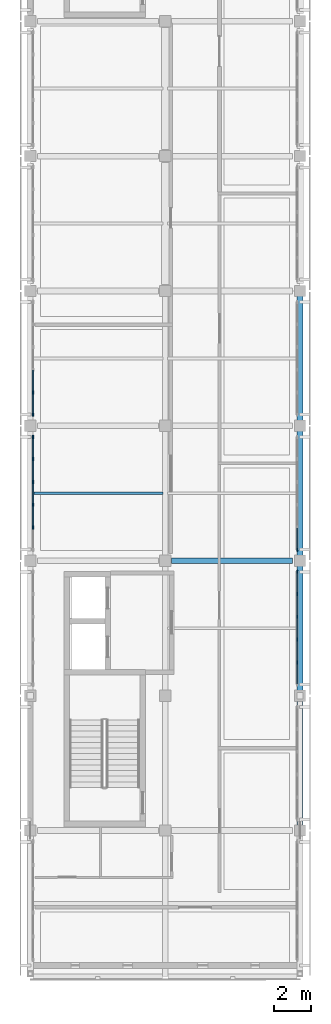
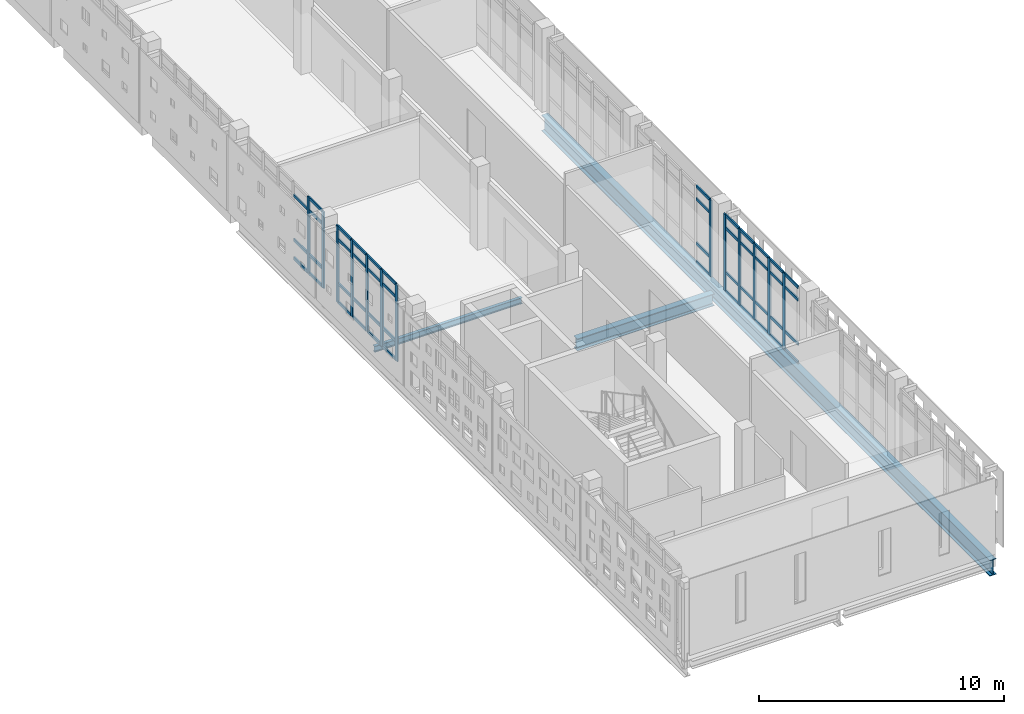
# One storey, part 4 of 21: 60 members, 3 beams, 4 elements without a shape of their own.
"""IFC4 building model written with IfcOpenShell, lengths in metres."""

from ifc_helpers import new_model, si_unit, direction, frame, origin, origin_2d, place, context, subcontext, project, spatial, rectangle, i_section, extrude, material, layer, layer_set, material_profile, profile_set, type_object, element, aggregate, save


model = new_model("IFC4")

# Units and contexts
model_context = context("Model", 3, precision=1e-05, world=origin(), true_north=direction((0.0, 1.0)))
body_context = subcontext(model_context, "Body", "Model", "MODEL_VIEW")
ifc_project = project(units=[si_unit("LENGTHUNIT", "METRE"), si_unit("AREAUNIT", "SQUARE_METRE"), si_unit("VOLUMEUNIT", "CUBIC_METRE"), si_unit("PLANEANGLEUNIT", "RADIAN"), si_unit("MASSUNIT", "GRAM", prefix="KILO")], contexts=[model_context])

# Site, building, storey
site_placement = place(None, origin())
site = spatial("IfcSite", under=ifc_project, at=site_placement, CompositionType="ELEMENT")
building_placement = place(site_placement, origin())
building = spatial("IfcBuilding", under=site, at=building_placement, Name="Valkovuoma Quantum and Materials Research Institute", CompositionType="ELEMENT")
storey_placement = place(building_placement, frame((0.0, 0.0, 29.760009765625)))
storey = spatial("IfcBuildingStorey", under=building, at=storey_placement, Name="L07", CompositionType="ELEMENT", Elevation=29.760009765625)

# Beams
ifc_material_1 = material(Name="Steel S355J2", Category="steel")
ifc_material_profile_1 = material_profile(ifc_material_1, i_section(OverallWidth=0.300048828125, OverallDepth=0.60009765625, WebThickness=0.015380859375, FlangeThickness=0.030029296875, FilletRadius=0.027099609375, at=origin_2d()), Name="Steel S355J2")
ifc_profile_set_1 = profile_set([ifc_material_profile_1], Name="Steel S355J2")
beam_type_1 = type_object("IfcBeamType", Name="Beam-B-HEB600", PredefinedType="BEAM", material=ifc_profile_set_1)
beam_1_placement = place(storey_placement, frame((7.550048828125, 43.199951171875, -0.64990234375), z_axis=(1.0, 0.0, 0.0), x_axis=(0.0, 1.0, 0.0)))
element("IfcBeam", 1, at=beam_1_placement, inside=storey, type_object=beam_type_1, Name="L07 beam X-2495", PredefinedType="BEAM", context=body_context, shape_type="SweptSolid", body=[
    extrude(i_section(OverallWidth=0.300048828125, OverallDepth=0.60009765625, WebThickness=0.015380859375, FlangeThickness=0.030029296875, FilletRadius=0.027099609375, at=origin_2d()), origin(), (0.0, 0.0, 1.0), 6.449951171875),
])
ifc_material_2 = material(Name="Steel S355J2", Category="steel")
ifc_material_profile_2 = material_profile(ifc_material_2, i_section(OverallWidth=0.300048828125, OverallDepth=0.800048828125, WebThickness=0.017578125, FlangeThickness=0.032958984375, FilletRadius=0.030029296875, at=origin_2d()), Name="Steel S355J2")
ifc_profile_set_2 = profile_set([ifc_material_profile_2], Name="Steel S355J2")
beam_type_2 = type_object("IfcBeamType", Name="Beam-B-HEB800", PredefinedType="BEAM", material=ifc_profile_set_2)
beam_2_placement = place(storey_placement, frame((14.39990234375, 21.0, -0.75), z_axis=(0.0, 1.0, 0.0), x_axis=(-1.0, 0.0, 0.0)))
element("IfcBeam", 2, at=beam_2_placement, inside=storey, type_object=beam_type_2, Name="L07 cantilever girder X2", PredefinedType="BEAM", context=body_context, shape_type="SweptSolid", body=[
    extrude(i_section(OverallWidth=0.300048828125, OverallDepth=0.800048828125, WebThickness=0.017578125, FlangeThickness=0.032958984375, FilletRadius=0.030029296875, at=origin_2d()), origin(), (0.0, 0.0, 1.0), 36.60009765625),
])
ifc_material_3 = material(Name="Steel S355J2", Category="steel")
ifc_material_profile_3 = material_profile(ifc_material_3, i_section(OverallWidth=0.14990234375, OverallDepth=0.300048828125, WebThickness=0.007080078125, FlangeThickness=0.0107421875, FilletRadius=0.014892578125, at=origin_2d()), Name="Steel S355J2")
ifc_profile_set_3 = profile_set([ifc_material_profile_3], Name="Steel S355J2")
beam_type_3 = type_object("IfcBeamType", Name="Beam-B-JST300", PredefinedType="JOIST", material=ifc_profile_set_3)
beam_3_placement = place(storey_placement, frame((0.1201171875, 46.800048828125, -0.5), z_axis=(1.0, 0.0, 0.0), x_axis=(0.0, 1.0, 0.0)))
element("IfcBeam", 3, at=beam_3_placement, inside=storey, type_object=beam_type_3, Name="L07 floor joist 2522", PredefinedType="JOIST", context=body_context, shape_type="SweptSolid", body=[
    extrude(i_section(OverallWidth=0.14990234375, OverallDepth=0.300048828125, WebThickness=0.007080078125, FlangeThickness=0.0107421875, FilletRadius=0.014892578125, at=origin_2d()), origin(), (0.0, 0.0, 1.0), 6.9599609375),
])

# Curtain wall, members
ifc_material_4 = material(Name="Thermally broken aluminium and triple low-E glazing", Category="aluminium")
ifc_layer = layer(ifc_material_4, 0.219970703125)
ifc_layer_set = layer_set([ifc_layer], Name="Thermally broken aluminium and triple low-E glazing")
curtain_wall_type = type_object("IfcCurtainWallType", Name="CW-CW-01", PredefinedType="NOTDEFINED", material=ifc_layer_set)
curtain_wall_1_placement = place(storey_placement, origin())
curtain_wall_1 = element("IfcCurtainWall", 4, at=curtain_wall_1_placement, inside=storey, type_object=curtain_wall_type, Name="L07 curtain wall 095", PredefinedType="NOTDEFINED")
ifc_material_5 = material(Name="Anodised aluminium 6060-T66", Category="aluminium")
ifc_material_profile_4 = material_profile(ifc_material_5, rectangle(XDim=0.06494140625, YDim=0.179931640625, at=origin_2d()), Name="Anodised aluminium 6060-T66")
ifc_profile_set_4 = profile_set([ifc_material_profile_4], Name="Anodised aluminium 6060-T66")
member_type_1 = type_object("IfcMemberType", Name="CWMull-CWM-01", PredefinedType="MULLION", material=ifc_profile_set_4)
member_1_placement = place(storey_placement, frame((14.25, 37.774169921875, 0.0), z_axis=(0.0, 0.0, 1.0), x_axis=(-1.0, 0.0, 0.0)))
member_1 = element("IfcMember", 5, at=member_1_placement, type_object=member_type_1, Name="CW-01 mullion 2", PredefinedType="MULLION", context=body_context, shape_type="SweptSolid", body=[
    extrude(rectangle(XDim=0.06494140625, YDim=0.179931640625, at=origin_2d()), origin(), (0.0, 0.0, 1.0), 3.81005859375),
])
member_2_placement = place(storey_placement, frame((14.25, 38.991455078125, 0.0), z_axis=(0.0, 0.0, 1.0), x_axis=(-1.0, 0.0, 0.0)))
member_2 = element("IfcMember", 6, at=member_2_placement, type_object=member_type_1, Name="CW-01 mullion 3", PredefinedType="MULLION", context=body_context, shape_type="SweptSolid", body=[
    extrude(rectangle(XDim=0.06494140625, YDim=0.179931640625, at=origin_2d()), origin(), (0.0, 0.0, 1.0), 3.81005859375),
])
member_3_placement = place(storey_placement, frame((14.25, 40.20849609375, 0.0), z_axis=(0.0, 0.0, 1.0), x_axis=(-1.0, 0.0, 0.0)))
member_3 = element("IfcMember", 7, at=member_3_placement, type_object=member_type_1, Name="CW-01 mullion 4", PredefinedType="MULLION", context=body_context, shape_type="SweptSolid", body=[
    extrude(rectangle(XDim=0.06494140625, YDim=0.179931640625, at=origin_2d()), origin(), (0.0, 0.0, 1.0), 3.81005859375),
])
member_4_placement = place(storey_placement, frame((14.25, 41.42578125, 0.0), z_axis=(0.0, 0.0, 1.0), x_axis=(-1.0, 0.0, 0.0)))
member_4 = element("IfcMember", 8, at=member_4_placement, type_object=member_type_1, Name="CW-01 mullion 5", PredefinedType="MULLION", context=body_context, shape_type="SweptSolid", body=[
    extrude(rectangle(XDim=0.06494140625, YDim=0.179931640625, at=origin_2d()), origin(), (0.0, 0.0, 1.0), 3.81005859375),
])
member_5_placement = place(storey_placement, frame((14.25, 42.6103515625, 0.0), z_axis=(0.0, 0.0, 1.0), x_axis=(-1.0, 0.0, 0.0)))
member_5 = element("IfcMember", 9, at=member_5_placement, type_object=member_type_1, Name="CW-01 mullion 6", PredefinedType="MULLION", context=body_context, shape_type="SweptSolid", body=[
    extrude(rectangle(XDim=0.06494140625, YDim=0.179931640625, at=origin_2d()), origin(), (0.0, 0.0, 1.0), 3.81005859375),
])

curtain_wall_2_placement = place(storey_placement, origin())
curtain_wall_2 = element("IfcCurtainWall", 10, at=curtain_wall_2_placement, inside=storey, type_object=curtain_wall_type, Name="L07 curtain wall 096", PredefinedType="NOTDEFINED")
member_6_placement = place(storey_placement, frame((0.14990234375, 44.974365234375, 0.0), z_axis=(0.0, 0.0, 1.0), x_axis=(-1.0, 0.0, 0.0)))
member_6 = element("IfcMember", 11, at=member_6_placement, type_object=member_type_1, Name="CW-01 mullion 2", PredefinedType="MULLION", context=body_context, shape_type="SweptSolid", body=[
    extrude(rectangle(XDim=0.06494140625, YDim=0.179931640625, at=origin_2d()), origin(), (0.0, 0.0, 1.0), 3.81005859375),
])
member_7_placement = place(storey_placement, frame((0.14990234375, 46.19140625, 0.0), z_axis=(0.0, 0.0, 1.0), x_axis=(-1.0, 0.0, 0.0)))
member_7 = element("IfcMember", 12, at=member_7_placement, type_object=member_type_1, Name="CW-01 mullion 3", PredefinedType="MULLION", context=body_context, shape_type="SweptSolid", body=[
    extrude(rectangle(XDim=0.06494140625, YDim=0.179931640625, at=origin_2d()), origin(), (0.0, 0.0, 1.0), 3.81005859375),
])
member_8_placement = place(storey_placement, frame((0.14990234375, 47.40869140625, 0.0), z_axis=(0.0, 0.0, 1.0), x_axis=(-1.0, 0.0, 0.0)))
member_8 = element("IfcMember", 13, at=member_8_placement, type_object=member_type_1, Name="CW-01 mullion 4", PredefinedType="MULLION", context=body_context, shape_type="SweptSolid", body=[
    extrude(rectangle(XDim=0.06494140625, YDim=0.179931640625, at=origin_2d()), origin(), (0.0, 0.0, 1.0), 3.81005859375),
])
member_9_placement = place(storey_placement, frame((0.14990234375, 48.625732421875, 0.0), z_axis=(0.0, 0.0, 1.0), x_axis=(-1.0, 0.0, 0.0)))
member_9 = element("IfcMember", 14, at=member_9_placement, type_object=member_type_1, Name="CW-01 mullion 5", PredefinedType="MULLION", context=body_context, shape_type="SweptSolid", body=[
    extrude(rectangle(XDim=0.06494140625, YDim=0.179931640625, at=origin_2d()), origin(), (0.0, 0.0, 1.0), 3.81005859375),
])
member_10_placement = place(storey_placement, frame((0.14990234375, 49.810302734375, 0.0), z_axis=(0.0, 0.0, 1.0), x_axis=(-1.0, 0.0, 0.0)))
member_10 = element("IfcMember", 15, at=member_10_placement, type_object=member_type_1, Name="CW-01 mullion 6", PredefinedType="MULLION", context=body_context, shape_type="SweptSolid", body=[
    extrude(rectangle(XDim=0.06494140625, YDim=0.179931640625, at=origin_2d()), origin(), (0.0, 0.0, 1.0), 3.81005859375),
])

# Curtain wall, member
curtain_wall_3_placement = place(storey_placement, origin())
curtain_wall_3 = element("IfcCurtainWall", 16, at=curtain_wall_3_placement, inside=storey, type_object=curtain_wall_type, Name="L07 curtain wall 097", PredefinedType="NOTDEFINED")
member_11_placement = place(storey_placement, frame((14.25, 43.78955078125, 0.0), z_axis=(0.0, 0.0, 1.0), x_axis=(-1.0, 0.0, 0.0)))
member_11 = element("IfcMember", 17, at=member_11_placement, type_object=member_type_1, Name="CW-01 mullion 1", PredefinedType="MULLION", context=body_context, shape_type="SweptSolid", body=[
    extrude(rectangle(XDim=0.06494140625, YDim=0.179931640625, at=origin_2d()), origin(), (0.0, 0.0, 1.0), 3.81005859375),
])

# Curtain wall, members
curtain_wall_4_placement = place(storey_placement, origin())
curtain_wall_4 = element("IfcCurtainWall", 18, at=curtain_wall_4_placement, inside=storey, type_object=curtain_wall_type, Name="L07 curtain wall 098", PredefinedType="NOTDEFINED")
member_12_placement = place(storey_placement, frame((0.14990234375, 50.989501953125, 0.0), z_axis=(0.0, 0.0, 1.0), x_axis=(-1.0, 0.0, 0.0)))
member_12 = element("IfcMember", 19, at=member_12_placement, type_object=member_type_1, Name="CW-01 mullion 1", PredefinedType="MULLION", context=body_context, shape_type="SweptSolid", body=[
    extrude(rectangle(XDim=0.06494140625, YDim=0.179931640625, at=origin_2d()), origin(), (0.0, 0.0, 1.0), 3.81005859375),
])
member_13_placement = place(storey_placement, frame((0.14990234375, 52.17431640625, 0.0), z_axis=(0.0, 0.0, 1.0), x_axis=(-1.0, 0.0, 0.0)))
member_13 = element("IfcMember", 20, at=member_13_placement, type_object=member_type_1, Name="CW-01 mullion 2", PredefinedType="MULLION", context=body_context, shape_type="SweptSolid", body=[
    extrude(rectangle(XDim=0.06494140625, YDim=0.179931640625, at=origin_2d()), origin(), (0.0, 0.0, 1.0), 3.81005859375),
])

# Member
ifc_material_6 = material(Name="Anodised aluminium 6060-T66", Category="aluminium")
ifc_material_profile_5 = material_profile(ifc_material_6, rectangle(XDim=0.06494140625, YDim=0.139892578125, at=origin_2d()), Name="Anodised aluminium 6060-T66")
ifc_profile_set_5 = profile_set([ifc_material_profile_5], Name="Anodised aluminium 6060-T66")
member_type_2 = type_object("IfcMemberType", Name="CWTran-CWT-01", PredefinedType="USERDEFINED", material=ifc_profile_set_5)
member_14_placement = place(storey_placement, frame((14.25, 36.6220703125, 0.032470703125), z_axis=(0.0, 1.0, 0.0), x_axis=(-1.0, 0.0, 0.0)))
member_14 = element("IfcMember", 21, at=member_14_placement, type_object=member_type_2, Name="CW-01 transom 1.1", ObjectType="TRANSOM", PredefinedType="USERDEFINED", context=body_context, shape_type="SweptSolid", body=[
    extrude(rectangle(XDim=0.06494140625, YDim=0.139892578125, at=origin_2d()), origin(), (0.0, 0.0, 1.0), 1.11962890625),
])

member_15_placement = place(storey_placement, frame((14.25, 36.6220703125, 0.949951171875), z_axis=(0.0, 1.0, 0.0), x_axis=(-1.0, 0.0, 0.0)))
member_15 = element("IfcMember", 22, at=member_15_placement, type_object=member_type_2, Name="CW-01 transom 1.2", ObjectType="TRANSOM", PredefinedType="USERDEFINED", context=body_context, shape_type="SweptSolid", body=[
    extrude(rectangle(XDim=0.06494140625, YDim=0.139892578125, at=origin_2d()), origin(), (0.0, 0.0, 1.0), 1.11962890625),
])

member_16_placement = place(storey_placement, frame((14.25, 36.6220703125, 3.159912109375), z_axis=(0.0, 1.0, 0.0), x_axis=(-1.0, 0.0, 0.0)))
member_16 = element("IfcMember", 23, at=member_16_placement, type_object=member_type_2, Name="CW-01 transom 1.3", ObjectType="TRANSOM", PredefinedType="USERDEFINED", context=body_context, shape_type="SweptSolid", body=[
    extrude(rectangle(XDim=0.06494140625, YDim=0.139892578125, at=origin_2d()), origin(), (0.0, 0.0, 1.0), 1.11962890625),
])

member_17_placement = place(storey_placement, frame((14.25, 36.6220703125, 3.777587890625), z_axis=(0.0, 1.0, 0.0), x_axis=(-1.0, 0.0, 0.0)))
member_17 = element("IfcMember", 24, at=member_17_placement, type_object=member_type_2, Name="CW-01 transom 1.4", ObjectType="TRANSOM", PredefinedType="USERDEFINED", context=body_context, shape_type="SweptSolid", body=[
    extrude(rectangle(XDim=0.06494140625, YDim=0.139892578125, at=origin_2d()), origin(), (0.0, 0.0, 1.0), 1.11962890625),
])

member_18_placement = place(storey_placement, frame((14.25, 37.806640625, 0.032470703125), z_axis=(0.0, 1.0, 0.0), x_axis=(-1.0, 0.0, 0.0)))
member_18 = element("IfcMember", 25, at=member_18_placement, type_object=member_type_2, Name="CW-01 transom 2.1", ObjectType="TRANSOM", PredefinedType="USERDEFINED", context=body_context, shape_type="SweptSolid", body=[
    extrude(rectangle(XDim=0.06494140625, YDim=0.139892578125, at=origin_2d()), origin(), (0.0, 0.0, 1.0), 1.15234375),
])

member_19_placement = place(storey_placement, frame((14.25, 37.806640625, 0.949951171875), z_axis=(0.0, 1.0, 0.0), x_axis=(-1.0, 0.0, 0.0)))
member_19 = element("IfcMember", 26, at=member_19_placement, type_object=member_type_2, Name="CW-01 transom 2.2", ObjectType="TRANSOM", PredefinedType="USERDEFINED", context=body_context, shape_type="SweptSolid", body=[
    extrude(rectangle(XDim=0.06494140625, YDim=0.139892578125, at=origin_2d()), origin(), (0.0, 0.0, 1.0), 1.15234375),
])

member_20_placement = place(storey_placement, frame((14.25, 37.806640625, 3.159912109375), z_axis=(0.0, 1.0, 0.0), x_axis=(-1.0, 0.0, 0.0)))
member_20 = element("IfcMember", 27, at=member_20_placement, type_object=member_type_2, Name="CW-01 transom 2.3", ObjectType="TRANSOM", PredefinedType="USERDEFINED", context=body_context, shape_type="SweptSolid", body=[
    extrude(rectangle(XDim=0.06494140625, YDim=0.139892578125, at=origin_2d()), origin(), (0.0, 0.0, 1.0), 1.15234375),
])

member_21_placement = place(storey_placement, frame((14.25, 37.806640625, 3.777587890625), z_axis=(0.0, 1.0, 0.0), x_axis=(-1.0, 0.0, 0.0)))
member_21 = element("IfcMember", 28, at=member_21_placement, type_object=member_type_2, Name="CW-01 transom 2.4", ObjectType="TRANSOM", PredefinedType="USERDEFINED", context=body_context, shape_type="SweptSolid", body=[
    extrude(rectangle(XDim=0.06494140625, YDim=0.139892578125, at=origin_2d()), origin(), (0.0, 0.0, 1.0), 1.15234375),
])

member_22_placement = place(storey_placement, frame((14.25, 39.02392578125, 0.032470703125), z_axis=(0.0, 1.0, 0.0), x_axis=(-1.0, 0.0, 0.0)))
member_22 = element("IfcMember", 29, at=member_22_placement, type_object=member_type_2, Name="CW-01 transom 3.1", ObjectType="TRANSOM", PredefinedType="USERDEFINED", context=body_context, shape_type="SweptSolid", body=[
    extrude(rectangle(XDim=0.06494140625, YDim=0.139892578125, at=origin_2d()), origin(), (0.0, 0.0, 1.0), 1.152099609375),
])

member_23_placement = place(storey_placement, frame((14.25, 39.02392578125, 0.949951171875), z_axis=(0.0, 1.0, 0.0), x_axis=(-1.0, 0.0, 0.0)))
member_23 = element("IfcMember", 30, at=member_23_placement, type_object=member_type_2, Name="CW-01 transom 3.2", ObjectType="TRANSOM", PredefinedType="USERDEFINED", context=body_context, shape_type="SweptSolid", body=[
    extrude(rectangle(XDim=0.06494140625, YDim=0.139892578125, at=origin_2d()), origin(), (0.0, 0.0, 1.0), 1.152099609375),
])

member_24_placement = place(storey_placement, frame((14.25, 39.02392578125, 3.159912109375), z_axis=(0.0, 1.0, 0.0), x_axis=(-1.0, 0.0, 0.0)))
member_24 = element("IfcMember", 31, at=member_24_placement, type_object=member_type_2, Name="CW-01 transom 3.3", ObjectType="TRANSOM", PredefinedType="USERDEFINED", context=body_context, shape_type="SweptSolid", body=[
    extrude(rectangle(XDim=0.06494140625, YDim=0.139892578125, at=origin_2d()), origin(), (0.0, 0.0, 1.0), 1.152099609375),
])

member_25_placement = place(storey_placement, frame((14.25, 39.02392578125, 3.777587890625), z_axis=(0.0, 1.0, 0.0), x_axis=(-1.0, 0.0, 0.0)))
member_25 = element("IfcMember", 32, at=member_25_placement, type_object=member_type_2, Name="CW-01 transom 3.4", ObjectType="TRANSOM", PredefinedType="USERDEFINED", context=body_context, shape_type="SweptSolid", body=[
    extrude(rectangle(XDim=0.06494140625, YDim=0.139892578125, at=origin_2d()), origin(), (0.0, 0.0, 1.0), 1.152099609375),
])

member_26_placement = place(storey_placement, frame((14.25, 40.240966796875, 0.032470703125), z_axis=(0.0, 1.0, 0.0), x_axis=(-1.0, 0.0, 0.0)))
member_26 = element("IfcMember", 33, at=member_26_placement, type_object=member_type_2, Name="CW-01 transom 4.1", ObjectType="TRANSOM", PredefinedType="USERDEFINED", context=body_context, shape_type="SweptSolid", body=[
    extrude(rectangle(XDim=0.06494140625, YDim=0.139892578125, at=origin_2d()), origin(), (0.0, 0.0, 1.0), 1.15234375),
])

member_27_placement = place(storey_placement, frame((14.25, 40.240966796875, 0.949951171875), z_axis=(0.0, 1.0, 0.0), x_axis=(-1.0, 0.0, 0.0)))
member_27 = element("IfcMember", 34, at=member_27_placement, type_object=member_type_2, Name="CW-01 transom 4.2", ObjectType="TRANSOM", PredefinedType="USERDEFINED", context=body_context, shape_type="SweptSolid", body=[
    extrude(rectangle(XDim=0.06494140625, YDim=0.139892578125, at=origin_2d()), origin(), (0.0, 0.0, 1.0), 1.15234375),
])

member_28_placement = place(storey_placement, frame((14.25, 40.240966796875, 3.159912109375), z_axis=(0.0, 1.0, 0.0), x_axis=(-1.0, 0.0, 0.0)))
member_28 = element("IfcMember", 35, at=member_28_placement, type_object=member_type_2, Name="CW-01 transom 4.3", ObjectType="TRANSOM", PredefinedType="USERDEFINED", context=body_context, shape_type="SweptSolid", body=[
    extrude(rectangle(XDim=0.06494140625, YDim=0.139892578125, at=origin_2d()), origin(), (0.0, 0.0, 1.0), 1.15234375),
])

member_29_placement = place(storey_placement, frame((14.25, 40.240966796875, 3.777587890625), z_axis=(0.0, 1.0, 0.0), x_axis=(-1.0, 0.0, 0.0)))
member_29 = element("IfcMember", 36, at=member_29_placement, type_object=member_type_2, Name="CW-01 transom 4.4", ObjectType="TRANSOM", PredefinedType="USERDEFINED", context=body_context, shape_type="SweptSolid", body=[
    extrude(rectangle(XDim=0.06494140625, YDim=0.139892578125, at=origin_2d()), origin(), (0.0, 0.0, 1.0), 1.15234375),
])

member_30_placement = place(storey_placement, frame((14.25, 41.458251953125, 0.032470703125), z_axis=(0.0, 1.0, 0.0), x_axis=(-1.0, 0.0, 0.0)))
member_30 = element("IfcMember", 37, at=member_30_placement, type_object=member_type_2, Name="CW-01 transom 5.1", ObjectType="TRANSOM", PredefinedType="USERDEFINED", context=body_context, shape_type="SweptSolid", body=[
    extrude(rectangle(XDim=0.06494140625, YDim=0.139892578125, at=origin_2d()), origin(), (0.0, 0.0, 1.0), 1.11962890625),
])

member_31_placement = place(storey_placement, frame((14.25, 41.458251953125, 0.949951171875), z_axis=(0.0, 1.0, 0.0), x_axis=(-1.0, 0.0, 0.0)))
member_31 = element("IfcMember", 38, at=member_31_placement, type_object=member_type_2, Name="CW-01 transom 5.2", ObjectType="TRANSOM", PredefinedType="USERDEFINED", context=body_context, shape_type="SweptSolid", body=[
    extrude(rectangle(XDim=0.06494140625, YDim=0.139892578125, at=origin_2d()), origin(), (0.0, 0.0, 1.0), 1.11962890625),
])

member_32_placement = place(storey_placement, frame((14.25, 41.458251953125, 3.159912109375), z_axis=(0.0, 1.0, 0.0), x_axis=(-1.0, 0.0, 0.0)))
member_32 = element("IfcMember", 39, at=member_32_placement, type_object=member_type_2, Name="CW-01 transom 5.3", ObjectType="TRANSOM", PredefinedType="USERDEFINED", context=body_context, shape_type="SweptSolid", body=[
    extrude(rectangle(XDim=0.06494140625, YDim=0.139892578125, at=origin_2d()), origin(), (0.0, 0.0, 1.0), 1.11962890625),
])

member_33_placement = place(storey_placement, frame((14.25, 41.458251953125, 3.777587890625), z_axis=(0.0, 1.0, 0.0), x_axis=(-1.0, 0.0, 0.0)))
member_33 = element("IfcMember", 40, at=member_33_placement, type_object=member_type_2, Name="CW-01 transom 5.4", ObjectType="TRANSOM", PredefinedType="USERDEFINED", context=body_context, shape_type="SweptSolid", body=[
    extrude(rectangle(XDim=0.06494140625, YDim=0.139892578125, at=origin_2d()), origin(), (0.0, 0.0, 1.0), 1.11962890625),
])

aggregate(curtain_wall_1, [member_1, member_2, member_3, member_4, member_5, member_14, member_15, member_16, member_17, member_18, member_19, member_20, member_21, member_22, member_23, member_24, member_25, member_26, member_27, member_28, member_29, member_30, member_31, member_32, member_33])

member_34_placement = place(storey_placement, frame((0.14990234375, 45.0068359375, 0.032470703125), z_axis=(0.0, 1.0, 0.0), x_axis=(-1.0, 0.0, 0.0)))
member_34 = element("IfcMember", 41, at=member_34_placement, type_object=member_type_2, Name="CW-01 transom 2.1", ObjectType="TRANSOM", PredefinedType="USERDEFINED", context=body_context, shape_type="SweptSolid", body=[
    extrude(rectangle(XDim=0.06494140625, YDim=0.139892578125, at=origin_2d()), origin(), (0.0, 0.0, 1.0), 1.152099609375),
])

member_35_placement = place(storey_placement, frame((0.14990234375, 45.0068359375, 0.949951171875), z_axis=(0.0, 1.0, 0.0), x_axis=(-1.0, 0.0, 0.0)))
member_35 = element("IfcMember", 42, at=member_35_placement, type_object=member_type_2, Name="CW-01 transom 2.2", ObjectType="TRANSOM", PredefinedType="USERDEFINED", context=body_context, shape_type="SweptSolid", body=[
    extrude(rectangle(XDim=0.06494140625, YDim=0.139892578125, at=origin_2d()), origin(), (0.0, 0.0, 1.0), 1.152099609375),
])

member_36_placement = place(storey_placement, frame((0.14990234375, 45.0068359375, 3.159912109375), z_axis=(0.0, 1.0, 0.0), x_axis=(-1.0, 0.0, 0.0)))
member_36 = element("IfcMember", 43, at=member_36_placement, type_object=member_type_2, Name="CW-01 transom 2.3", ObjectType="TRANSOM", PredefinedType="USERDEFINED", context=body_context, shape_type="SweptSolid", body=[
    extrude(rectangle(XDim=0.06494140625, YDim=0.139892578125, at=origin_2d()), origin(), (0.0, 0.0, 1.0), 1.152099609375),
])

member_37_placement = place(storey_placement, frame((0.14990234375, 45.0068359375, 3.777587890625), z_axis=(0.0, 1.0, 0.0), x_axis=(-1.0, 0.0, 0.0)))
member_37 = element("IfcMember", 44, at=member_37_placement, type_object=member_type_2, Name="CW-01 transom 2.4", ObjectType="TRANSOM", PredefinedType="USERDEFINED", context=body_context, shape_type="SweptSolid", body=[
    extrude(rectangle(XDim=0.06494140625, YDim=0.139892578125, at=origin_2d()), origin(), (0.0, 0.0, 1.0), 1.152099609375),
])

member_38_placement = place(storey_placement, frame((0.14990234375, 46.223876953125, 0.032470703125), z_axis=(0.0, 1.0, 0.0), x_axis=(-1.0, 0.0, 0.0)))
member_38 = element("IfcMember", 45, at=member_38_placement, type_object=member_type_2, Name="CW-01 transom 3.1", ObjectType="TRANSOM", PredefinedType="USERDEFINED", context=body_context, shape_type="SweptSolid", body=[
    extrude(rectangle(XDim=0.06494140625, YDim=0.139892578125, at=origin_2d()), origin(), (0.0, 0.0, 1.0), 1.152099609375),
])

member_39_placement = place(storey_placement, frame((0.14990234375, 46.223876953125, 0.949951171875), z_axis=(0.0, 1.0, 0.0), x_axis=(-1.0, 0.0, 0.0)))
member_39 = element("IfcMember", 46, at=member_39_placement, type_object=member_type_2, Name="CW-01 transom 3.2", ObjectType="TRANSOM", PredefinedType="USERDEFINED", context=body_context, shape_type="SweptSolid", body=[
    extrude(rectangle(XDim=0.06494140625, YDim=0.139892578125, at=origin_2d()), origin(), (0.0, 0.0, 1.0), 1.152099609375),
])

member_40_placement = place(storey_placement, frame((0.14990234375, 46.223876953125, 3.159912109375), z_axis=(0.0, 1.0, 0.0), x_axis=(-1.0, 0.0, 0.0)))
member_40 = element("IfcMember", 47, at=member_40_placement, type_object=member_type_2, Name="CW-01 transom 3.3", ObjectType="TRANSOM", PredefinedType="USERDEFINED", context=body_context, shape_type="SweptSolid", body=[
    extrude(rectangle(XDim=0.06494140625, YDim=0.139892578125, at=origin_2d()), origin(), (0.0, 0.0, 1.0), 1.152099609375),
])

member_41_placement = place(storey_placement, frame((0.14990234375, 46.223876953125, 3.777587890625), z_axis=(0.0, 1.0, 0.0), x_axis=(-1.0, 0.0, 0.0)))
member_41 = element("IfcMember", 48, at=member_41_placement, type_object=member_type_2, Name="CW-01 transom 3.4", ObjectType="TRANSOM", PredefinedType="USERDEFINED", context=body_context, shape_type="SweptSolid", body=[
    extrude(rectangle(XDim=0.06494140625, YDim=0.139892578125, at=origin_2d()), origin(), (0.0, 0.0, 1.0), 1.152099609375),
])

member_42_placement = place(storey_placement, frame((0.14990234375, 47.441162109375, 0.032470703125), z_axis=(0.0, 1.0, 0.0), x_axis=(-1.0, 0.0, 0.0)))
member_42 = element("IfcMember", 49, at=member_42_placement, type_object=member_type_2, Name="CW-01 transom 4.1", ObjectType="TRANSOM", PredefinedType="USERDEFINED", context=body_context, shape_type="SweptSolid", body=[
    extrude(rectangle(XDim=0.06494140625, YDim=0.139892578125, at=origin_2d()), origin(), (0.0, 0.0, 1.0), 1.152099609375),
])

member_43_placement = place(storey_placement, frame((0.14990234375, 47.441162109375, 0.949951171875), z_axis=(0.0, 1.0, 0.0), x_axis=(-1.0, 0.0, 0.0)))
member_43 = element("IfcMember", 50, at=member_43_placement, type_object=member_type_2, Name="CW-01 transom 4.2", ObjectType="TRANSOM", PredefinedType="USERDEFINED", context=body_context, shape_type="SweptSolid", body=[
    extrude(rectangle(XDim=0.06494140625, YDim=0.139892578125, at=origin_2d()), origin(), (0.0, 0.0, 1.0), 1.152099609375),
])

member_44_placement = place(storey_placement, frame((0.14990234375, 47.441162109375, 3.159912109375), z_axis=(0.0, 1.0, 0.0), x_axis=(-1.0, 0.0, 0.0)))
member_44 = element("IfcMember", 51, at=member_44_placement, type_object=member_type_2, Name="CW-01 transom 4.3", ObjectType="TRANSOM", PredefinedType="USERDEFINED", context=body_context, shape_type="SweptSolid", body=[
    extrude(rectangle(XDim=0.06494140625, YDim=0.139892578125, at=origin_2d()), origin(), (0.0, 0.0, 1.0), 1.152099609375),
])

member_45_placement = place(storey_placement, frame((0.14990234375, 47.441162109375, 3.777587890625), z_axis=(0.0, 1.0, 0.0), x_axis=(-1.0, 0.0, 0.0)))
member_45 = element("IfcMember", 52, at=member_45_placement, type_object=member_type_2, Name="CW-01 transom 4.4", ObjectType="TRANSOM", PredefinedType="USERDEFINED", context=body_context, shape_type="SweptSolid", body=[
    extrude(rectangle(XDim=0.06494140625, YDim=0.139892578125, at=origin_2d()), origin(), (0.0, 0.0, 1.0), 1.152099609375),
])

member_46_placement = place(storey_placement, frame((0.14990234375, 48.658203125, 0.032470703125), z_axis=(0.0, 1.0, 0.0), x_axis=(-1.0, 0.0, 0.0)))
member_46 = element("IfcMember", 53, at=member_46_placement, type_object=member_type_2, Name="CW-01 transom 5.1", ObjectType="TRANSOM", PredefinedType="USERDEFINED", context=body_context, shape_type="SweptSolid", body=[
    extrude(rectangle(XDim=0.06494140625, YDim=0.139892578125, at=origin_2d()), origin(), (0.0, 0.0, 1.0), 1.11962890625),
])

member_47_placement = place(storey_placement, frame((0.14990234375, 48.658203125, 0.949951171875), z_axis=(0.0, 1.0, 0.0), x_axis=(-1.0, 0.0, 0.0)))
member_47 = element("IfcMember", 54, at=member_47_placement, type_object=member_type_2, Name="CW-01 transom 5.2", ObjectType="TRANSOM", PredefinedType="USERDEFINED", context=body_context, shape_type="SweptSolid", body=[
    extrude(rectangle(XDim=0.06494140625, YDim=0.139892578125, at=origin_2d()), origin(), (0.0, 0.0, 1.0), 1.11962890625),
])

member_48_placement = place(storey_placement, frame((0.14990234375, 48.658203125, 3.159912109375), z_axis=(0.0, 1.0, 0.0), x_axis=(-1.0, 0.0, 0.0)))
member_48 = element("IfcMember", 55, at=member_48_placement, type_object=member_type_2, Name="CW-01 transom 5.3", ObjectType="TRANSOM", PredefinedType="USERDEFINED", context=body_context, shape_type="SweptSolid", body=[
    extrude(rectangle(XDim=0.06494140625, YDim=0.139892578125, at=origin_2d()), origin(), (0.0, 0.0, 1.0), 1.11962890625),
])

member_49_placement = place(storey_placement, frame((0.14990234375, 48.658203125, 3.777587890625), z_axis=(0.0, 1.0, 0.0), x_axis=(-1.0, 0.0, 0.0)))
member_49 = element("IfcMember", 56, at=member_49_placement, type_object=member_type_2, Name="CW-01 transom 5.4", ObjectType="TRANSOM", PredefinedType="USERDEFINED", context=body_context, shape_type="SweptSolid", body=[
    extrude(rectangle(XDim=0.06494140625, YDim=0.139892578125, at=origin_2d()), origin(), (0.0, 0.0, 1.0), 1.11962890625),
])

aggregate(curtain_wall_2, [member_6, member_7, member_8, member_9, member_10, member_34, member_35, member_36, member_37, member_38, member_39, member_40, member_41, member_42, member_43, member_44, member_45, member_46, member_47, member_48, member_49])

member_50_placement = place(storey_placement, frame((14.25, 43.822021484375, 0.032470703125), z_axis=(0.0, 1.0, 0.0), x_axis=(-1.0, 0.0, 0.0)))
member_50 = element("IfcMember", 57, at=member_50_placement, type_object=member_type_2, Name="CW-01 transom 1.1", ObjectType="TRANSOM", PredefinedType="USERDEFINED", context=body_context, shape_type="SweptSolid", body=[
    extrude(rectangle(XDim=0.06494140625, YDim=0.139892578125, at=origin_2d()), origin(), (0.0, 0.0, 1.0), 1.11962890625),
])

member_51_placement = place(storey_placement, frame((14.25, 43.822021484375, 0.949951171875), z_axis=(0.0, 1.0, 0.0), x_axis=(-1.0, 0.0, 0.0)))
member_51 = element("IfcMember", 58, at=member_51_placement, type_object=member_type_2, Name="CW-01 transom 1.2", ObjectType="TRANSOM", PredefinedType="USERDEFINED", context=body_context, shape_type="SweptSolid", body=[
    extrude(rectangle(XDim=0.06494140625, YDim=0.139892578125, at=origin_2d()), origin(), (0.0, 0.0, 1.0), 1.11962890625),
])

member_52_placement = place(storey_placement, frame((14.25, 43.822021484375, 3.159912109375), z_axis=(0.0, 1.0, 0.0), x_axis=(-1.0, 0.0, 0.0)))
member_52 = element("IfcMember", 59, at=member_52_placement, type_object=member_type_2, Name="CW-01 transom 1.3", ObjectType="TRANSOM", PredefinedType="USERDEFINED", context=body_context, shape_type="SweptSolid", body=[
    extrude(rectangle(XDim=0.06494140625, YDim=0.139892578125, at=origin_2d()), origin(), (0.0, 0.0, 1.0), 1.11962890625),
])

member_53_placement = place(storey_placement, frame((14.25, 43.822021484375, 3.777587890625), z_axis=(0.0, 1.0, 0.0), x_axis=(-1.0, 0.0, 0.0)))
member_53 = element("IfcMember", 60, at=member_53_placement, type_object=member_type_2, Name="CW-01 transom 1.4", ObjectType="TRANSOM", PredefinedType="USERDEFINED", context=body_context, shape_type="SweptSolid", body=[
    extrude(rectangle(XDim=0.06494140625, YDim=0.139892578125, at=origin_2d()), origin(), (0.0, 0.0, 1.0), 1.11962890625),
])

aggregate(curtain_wall_3, [member_11, member_50, member_51, member_52, member_53])

member_54_placement = place(storey_placement, frame((0.14990234375, 51.022216796875, 0.032470703125), z_axis=(0.0, 1.0, 0.0), x_axis=(-1.0, 0.0, 0.0)))
member_54 = element("IfcMember", 61, at=member_54_placement, type_object=member_type_2, Name="CW-01 transom 1.1", ObjectType="TRANSOM", PredefinedType="USERDEFINED", context=body_context, shape_type="SweptSolid", body=[
    extrude(rectangle(XDim=0.06494140625, YDim=0.139892578125, at=origin_2d()), origin(), (0.0, 0.0, 1.0), 1.11962890625),
])

member_55_placement = place(storey_placement, frame((0.14990234375, 51.022216796875, 0.949951171875), z_axis=(0.0, 1.0, 0.0), x_axis=(-1.0, 0.0, 0.0)))
member_55 = element("IfcMember", 62, at=member_55_placement, type_object=member_type_2, Name="CW-01 transom 1.2", ObjectType="TRANSOM", PredefinedType="USERDEFINED", context=body_context, shape_type="SweptSolid", body=[
    extrude(rectangle(XDim=0.06494140625, YDim=0.139892578125, at=origin_2d()), origin(), (0.0, 0.0, 1.0), 1.11962890625),
])

member_56_placement = place(storey_placement, frame((0.14990234375, 51.022216796875, 3.159912109375), z_axis=(0.0, 1.0, 0.0), x_axis=(-1.0, 0.0, 0.0)))
member_56 = element("IfcMember", 63, at=member_56_placement, type_object=member_type_2, Name="CW-01 transom 1.3", ObjectType="TRANSOM", PredefinedType="USERDEFINED", context=body_context, shape_type="SweptSolid", body=[
    extrude(rectangle(XDim=0.06494140625, YDim=0.139892578125, at=origin_2d()), origin(), (0.0, 0.0, 1.0), 1.11962890625),
])

member_57_placement = place(storey_placement, frame((0.14990234375, 51.022216796875, 3.777587890625), z_axis=(0.0, 1.0, 0.0), x_axis=(-1.0, 0.0, 0.0)))
member_57 = element("IfcMember", 64, at=member_57_placement, type_object=member_type_2, Name="CW-01 transom 1.4", ObjectType="TRANSOM", PredefinedType="USERDEFINED", context=body_context, shape_type="SweptSolid", body=[
    extrude(rectangle(XDim=0.06494140625, YDim=0.139892578125, at=origin_2d()), origin(), (0.0, 0.0, 1.0), 1.11962890625),
])

member_58_placement = place(storey_placement, frame((0.14990234375, 52.206787109375, 0.032470703125), z_axis=(0.0, 1.0, 0.0), x_axis=(-1.0, 0.0, 0.0)))
member_58 = element("IfcMember", 65, at=member_58_placement, type_object=member_type_2, Name="CW-01 transom 2.1", ObjectType="TRANSOM", PredefinedType="USERDEFINED", context=body_context, shape_type="SweptSolid", body=[
    extrude(rectangle(XDim=0.06494140625, YDim=0.139892578125, at=origin_2d()), origin(), (0.0, 0.0, 1.0), 1.152099609375),
])

member_59_placement = place(storey_placement, frame((0.14990234375, 52.206787109375, 0.949951171875), z_axis=(0.0, 1.0, 0.0), x_axis=(-1.0, 0.0, 0.0)))
member_59 = element("IfcMember", 66, at=member_59_placement, type_object=member_type_2, Name="CW-01 transom 2.2", ObjectType="TRANSOM", PredefinedType="USERDEFINED", context=body_context, shape_type="SweptSolid", body=[
    extrude(rectangle(XDim=0.06494140625, YDim=0.139892578125, at=origin_2d()), origin(), (0.0, 0.0, 1.0), 1.152099609375),
])

member_60_placement = place(storey_placement, frame((0.14990234375, 52.206787109375, 3.159912109375), z_axis=(0.0, 1.0, 0.0), x_axis=(-1.0, 0.0, 0.0)))
member_60 = element("IfcMember", 67, at=member_60_placement, type_object=member_type_2, Name="CW-01 transom 2.3", ObjectType="TRANSOM", PredefinedType="USERDEFINED", context=body_context, shape_type="SweptSolid", body=[
    extrude(rectangle(XDim=0.06494140625, YDim=0.139892578125, at=origin_2d()), origin(), (0.0, 0.0, 1.0), 1.152099609375),
])

aggregate(curtain_wall_4, [member_12, member_13, member_54, member_55, member_56, member_57, member_58, member_59, member_60])

save(model, "model.ifc")
